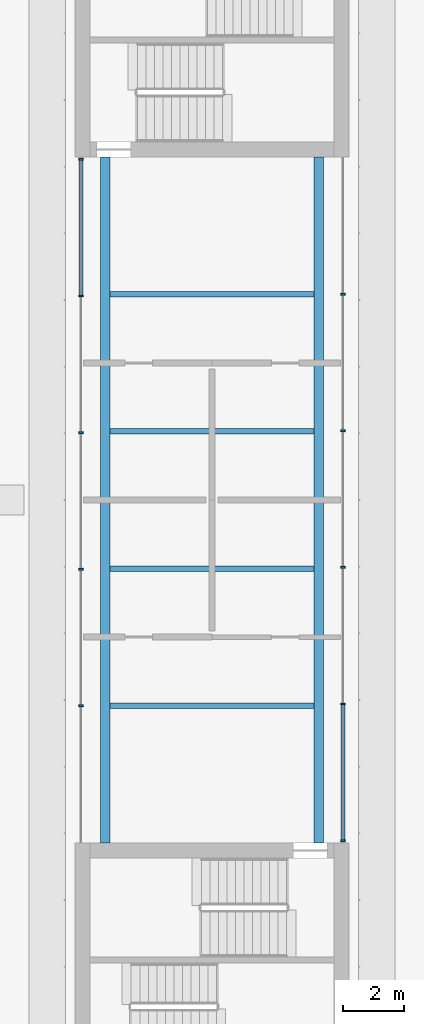
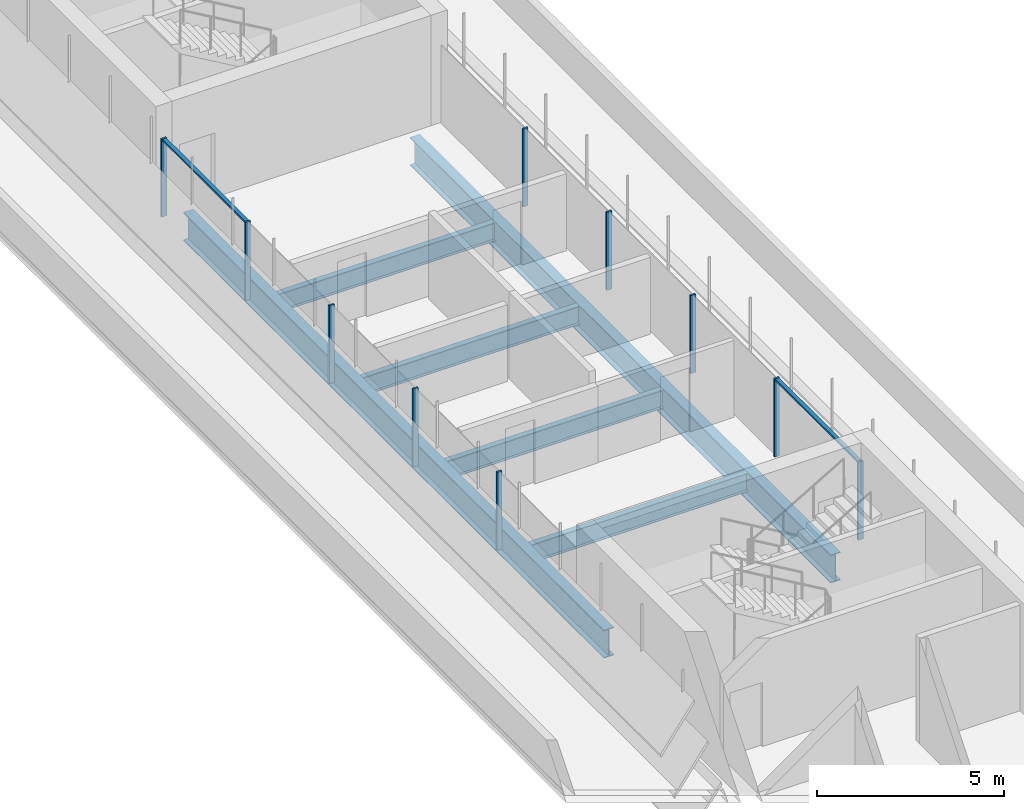
# One storey, part 1 of 6: 12 members, 6 beams, 2 elements without a shape of their own.
"""IFC4 building model written with IfcOpenShell, lengths in metres."""

from ifc_helpers import new_model, si_unit, direction, frame, origin, origin_2d, place, context, subcontext, project, spatial, polyline, i_section, outline, extrude, source, transform, mapped, material, material_profile, profile_set, type_object, element, aggregate, save


model = new_model("IFC4")

# Units and contexts
model_context = context("Model", 3, precision=1e-05, world=origin(), true_north=direction((0.0, 1.0)))
body_context = subcontext(model_context, "Body", "Model", "MODEL_VIEW")
ifc_project = project(units=[si_unit("LENGTHUNIT", "METRE"), si_unit("AREAUNIT", "SQUARE_METRE"), si_unit("VOLUMEUNIT", "CUBIC_METRE"), si_unit("PLANEANGLEUNIT", "RADIAN"), si_unit("MASSUNIT", "GRAM", prefix="KILO")], contexts=[model_context])

# Site, building, storey
site_placement = place(None, origin())
site = spatial("IfcSite", under=ifc_project, at=site_placement, CompositionType="ELEMENT")
building_placement = place(site_placement, origin())
building = spatial("IfcBuilding", under=site, at=building_placement, Name="Zarbagh Exchange Tower", CompositionType="ELEMENT")
storey_placement = place(building_placement, frame((0.0, 0.0, 313.199951171875)))
storey = spatial("IfcBuildingStorey", under=building, at=storey_placement, Name="L77", CompositionType="ELEMENT", Elevation=313.199951171875)

# Beams
ifc_material_1 = material(Name="Steel ASTM A992 Gr 50", Category="steel")
ifc_material_profile_1 = material_profile(ifc_material_1, i_section(OverallWidth=0.1787109375, OverallDepth=0.60205078125, WebThickness=0.010986328125, FlangeThickness=0.014892578125, at=origin_2d()), Name="W24X62")
ifc_profile_set_1 = profile_set([ifc_material_profile_1], Name="Steel ASTM A992 Gr 50")
beam_type_1 = type_object("IfcBeamType", Name="Floor beam W24X62", PredefinedType="BEAM", material=ifc_profile_set_1)
for number, where, z_axis, x_axis, name in (
    (1, (-3.34765625, -6.75, -0.450927734375), (1.0, 0.0, 0.0), (0.0, 1.0, 0.0), "Steel floor beam"),
    (2, (-3.34765625, -2.25, -0.450927734375), (1.0, 0.0, 0.0), (0.0, 1.0, 0.0), "Steel floor beam"),
    (3, (-3.34765625, 2.25, -0.450927734375), (1.0, 0.0, 0.0), (0.0, 1.0, 0.0), "Steel floor beam"),
    (4, (-3.34765625, 6.75, -0.450927734375), (1.0, 0.0, 0.0), (0.0, 1.0, 0.0), "Steel floor beam"),
):
    element("IfcBeam", number, at=place(storey_placement, frame(where, z_axis=z_axis, x_axis=x_axis)), inside=storey, type_object=beam_type_1, Name=name, PredefinedType="BEAM", context=body_context, shape_type="SweptSolid", body=[
        extrude(i_section(OverallWidth=0.1787109375, OverallDepth=0.60205078125, WebThickness=0.010986328125, FlangeThickness=0.014892578125, at=origin_2d()), origin(), (0.0, 0.0, 1.0), 6.6953125),
    ])
ifc_material_profile_2 = material_profile(ifc_material_1, i_section(OverallWidth=0.3046875, OverallDepth=0.91943359375, WebThickness=0.017333984375, FlangeThickness=0.02783203125, at=origin_2d()), Name="W36X170")
ifc_profile_set_2 = profile_set([ifc_material_profile_2], Name="Steel ASTM A992 Gr 50")
beam_type_2 = type_object("IfcBeamType", Name="Floor girder W36X170", PredefinedType="BEAM", material=ifc_profile_set_2)
for number, where, z_axis, x_axis, name in (
    (5, (-3.5, -11.25, -0.609619140625), (0.0, 1.0, 0.0), (-1.0, 0.0, 0.0), "Steel girder"),
    (6, (3.5, -11.25, -0.609619140625), (0.0, 1.0, 0.0), (-1.0, 0.0, 0.0), "Steel girder"),
):
    element("IfcBeam", number, at=place(storey_placement, frame(where, z_axis=z_axis, x_axis=x_axis)), inside=storey, type_object=beam_type_2, Name=name, PredefinedType="BEAM", context=body_context, shape_type="SweptSolid", body=[
        extrude(i_section(OverallWidth=0.3046875, OverallDepth=0.91943359375, WebThickness=0.017333984375, FlangeThickness=0.02783203125, at=origin_2d()), origin(), (0.0, 0.0, 1.0), 22.5),
    ])

# Curtain wall, members
ifc_material_2 = material(Name="Anodised aluminium frame and glazing", Category="aluminium")
curtain_wall_type = type_object("IfcCurtainWallType", Name="CWF Crown tier glazing", PredefinedType="NOTDEFINED", material=ifc_material_2)
curtain_wall_1_placement = place(storey_placement, origin())
curtain_wall_1 = element("IfcCurtainWall", 7, at=curtain_wall_1_placement, inside=storey, type_object=curtain_wall_type, Name="CWF51 curtain wall", PredefinedType="NOTDEFINED")
ifc_material_3 = material(Name="Anodised aluminium frame", Category="aluminium")
member_type_1 = type_object("IfcMemberType", Name="MUF Mullion, anodised aluminium frame", PredefinedType="MULLION", material=ifc_material_3)
shared_shape_1 = source(origin(), body_context, "Body", "SweptSolid", [
    extrude(outline(polyline([(0.0, -0.080078125), (0.06005859375, -0.080078125), (0.06005859375, 0.080078125), (0.0, 0.080078125), (0.0, -0.080078125)])), origin(), (0.0, 0.0, 1.0), 2.550048828125),
])
placement = place(storey_placement, origin())
member_1 = element("IfcMember", 8, at=placement, type_object=member_type_1, Name="CWF51 mullion 1.1", PredefinedType="MULLION", context=body_context, shape_type="MappedRepresentation", body=[
    mapped(shared_shape_1, transform((4.300048828125, -11.2099609375, 0.0), x_axis=(0.0, 1.0, 0.0), y_axis=(-1.0, 0.0, 0.0), z_axis=(0.0, 0.0, 1.0))),
])
member_2 = element("IfcMember", 9, at=placement, type_object=member_type_1, Name="CWF51 mullion 1.2", PredefinedType="MULLION", context=body_context, shape_type="MappedRepresentation", body=[
    mapped(shared_shape_1, transform((4.300048828125, -6.72607421875, 0.0), x_axis=(0.0, 1.0, 0.0), y_axis=(-1.0, 0.0, 0.0), z_axis=(0.0, 0.0, 1.0))),
])
member_3 = element("IfcMember", 10, at=placement, type_object=member_type_1, Name="CWF51 mullion 1.3", PredefinedType="MULLION", context=body_context, shape_type="MappedRepresentation", body=[
    mapped(shared_shape_1, transform((4.300048828125, -2.241943359375, 0.0), x_axis=(0.0, 1.0, 0.0), y_axis=(-1.0, 0.0, 0.0), z_axis=(0.0, 0.0, 1.0))),
])
member_4 = element("IfcMember", 11, at=placement, type_object=member_type_1, Name="CWF51 mullion 1.4", PredefinedType="MULLION", context=body_context, shape_type="MappedRepresentation", body=[
    mapped(shared_shape_1, transform((4.300048828125, 2.241943359375, 0.0), x_axis=(0.0, 1.0, 0.0), y_axis=(-1.0, 0.0, 0.0), z_axis=(0.0, 0.0, 1.0))),
])
member_5 = element("IfcMember", 12, at=placement, type_object=member_type_1, Name="CWF51 mullion 1.5", PredefinedType="MULLION", context=body_context, shape_type="MappedRepresentation", body=[
    mapped(shared_shape_1, transform((4.300048828125, 6.72607421875, 0.0), x_axis=(0.0, 1.0, 0.0), y_axis=(-1.0, 0.0, 0.0), z_axis=(0.0, 0.0, 1.0))),
])

curtain_wall_2_placement = place(storey_placement, origin())
curtain_wall_2 = element("IfcCurtainWall", 13, at=curtain_wall_2_placement, inside=storey, type_object=curtain_wall_type, Name="CWF52 curtain wall", PredefinedType="NOTDEFINED")
member_6 = element("IfcMember", 14, at=placement, type_object=member_type_1, Name="CWF52 mullion 1.1", PredefinedType="MULLION", context=body_context, shape_type="MappedRepresentation", body=[
    mapped(shared_shape_1, transform((-4.300048828125, 11.2099609375, 0.0), x_axis=(0.0, -1.0, 0.0), y_axis=(1.0, 0.0, 0.0), z_axis=(0.0, 0.0, 1.0))),
])
member_7 = element("IfcMember", 15, at=placement, type_object=member_type_1, Name="CWF52 mullion 1.2", PredefinedType="MULLION", context=body_context, shape_type="MappedRepresentation", body=[
    mapped(shared_shape_1, transform((-4.300048828125, 6.72607421875, 0.0), x_axis=(0.0, -1.0, 0.0), y_axis=(1.0, 0.0, 0.0), z_axis=(0.0, 0.0, 1.0))),
])
member_8 = element("IfcMember", 16, at=placement, type_object=member_type_1, Name="CWF52 mullion 1.3", PredefinedType="MULLION", context=body_context, shape_type="MappedRepresentation", body=[
    mapped(shared_shape_1, transform((-4.300048828125, 2.241943359375, 0.0), x_axis=(0.0, -1.0, 0.0), y_axis=(1.0, 0.0, 0.0), z_axis=(0.0, 0.0, 1.0))),
])
member_9 = element("IfcMember", 17, at=placement, type_object=member_type_1, Name="CWF52 mullion 1.4", PredefinedType="MULLION", context=body_context, shape_type="MappedRepresentation", body=[
    mapped(shared_shape_1, transform((-4.300048828125, -2.241943359375, 0.0), x_axis=(0.0, -1.0, 0.0), y_axis=(1.0, 0.0, 0.0), z_axis=(0.0, 0.0, 1.0))),
])
member_10 = element("IfcMember", 18, at=placement, type_object=member_type_1, Name="CWF52 mullion 1.5", PredefinedType="MULLION", context=body_context, shape_type="MappedRepresentation", body=[
    mapped(shared_shape_1, transform((-4.300048828125, -6.72607421875, 0.0), x_axis=(0.0, -1.0, 0.0), y_axis=(1.0, 0.0, 0.0), z_axis=(0.0, 0.0, 1.0))),
])

# Member
member_type_2 = type_object("IfcMemberType", Name="TRF Transom, anodised aluminium frame", PredefinedType="USERDEFINED", material=ifc_material_3)
shared_shape_2 = source(origin(), body_context, "Body", "SweptSolid", [
    extrude(outline(polyline([(-0.06005859375, -0.06005859375), (0.0, -0.06005859375), (0.0, 0.06005859375), (-0.06005859375, 0.06005859375), (-0.06005859375, -0.06005859375)])), origin(), (0.0, 0.0, 1.0), 4.424072265625),
])
member_11 = element("IfcMember", 19, at=placement, type_object=member_type_2, Name="CWF51 transom 1.1", ObjectType="TRANSOM", PredefinedType="USERDEFINED", context=body_context, shape_type="MappedRepresentation", body=[
    mapped(shared_shape_2, transform((4.300048828125, -11.14990234375, 2.550048828125), x_axis=(0.0, 0.0, 1.0), y_axis=(1.0, 0.0, 0.0), z_axis=(0.0, 1.0, 0.0))),
])

aggregate(curtain_wall_1, [member_1, member_11, member_2, member_3, member_4, member_5])

member_12 = element("IfcMember", 20, at=placement, type_object=member_type_2, Name="CWF52 transom 1.1", ObjectType="TRANSOM", PredefinedType="USERDEFINED", context=body_context, shape_type="MappedRepresentation", body=[
    mapped(shared_shape_2, transform((-4.300048828125, 11.14990234375, 2.550048828125), x_axis=(0.0, 0.0, 1.0), y_axis=(-1.0, 0.0, 0.0), z_axis=(0.0, -1.0, 0.0))),
])

aggregate(curtain_wall_2, [member_6, member_12, member_7, member_8, member_9, member_10])

save(model, "model.ifc")
